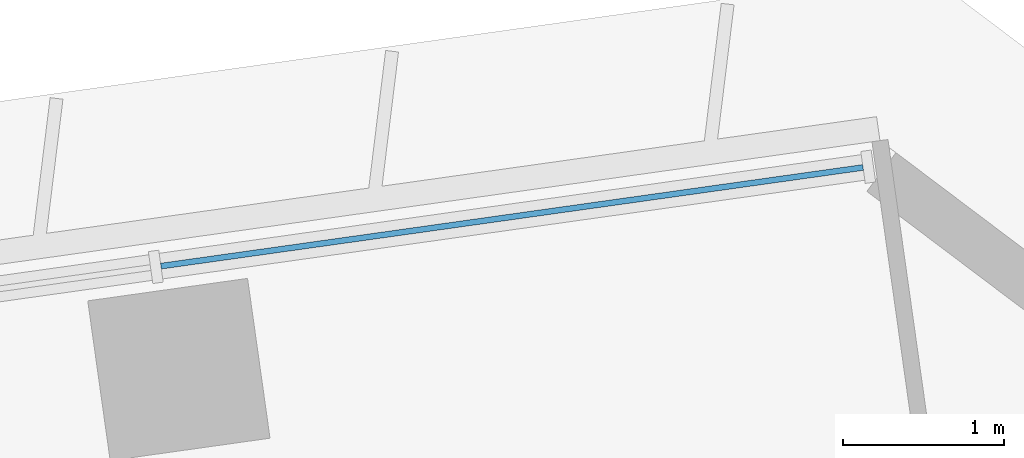
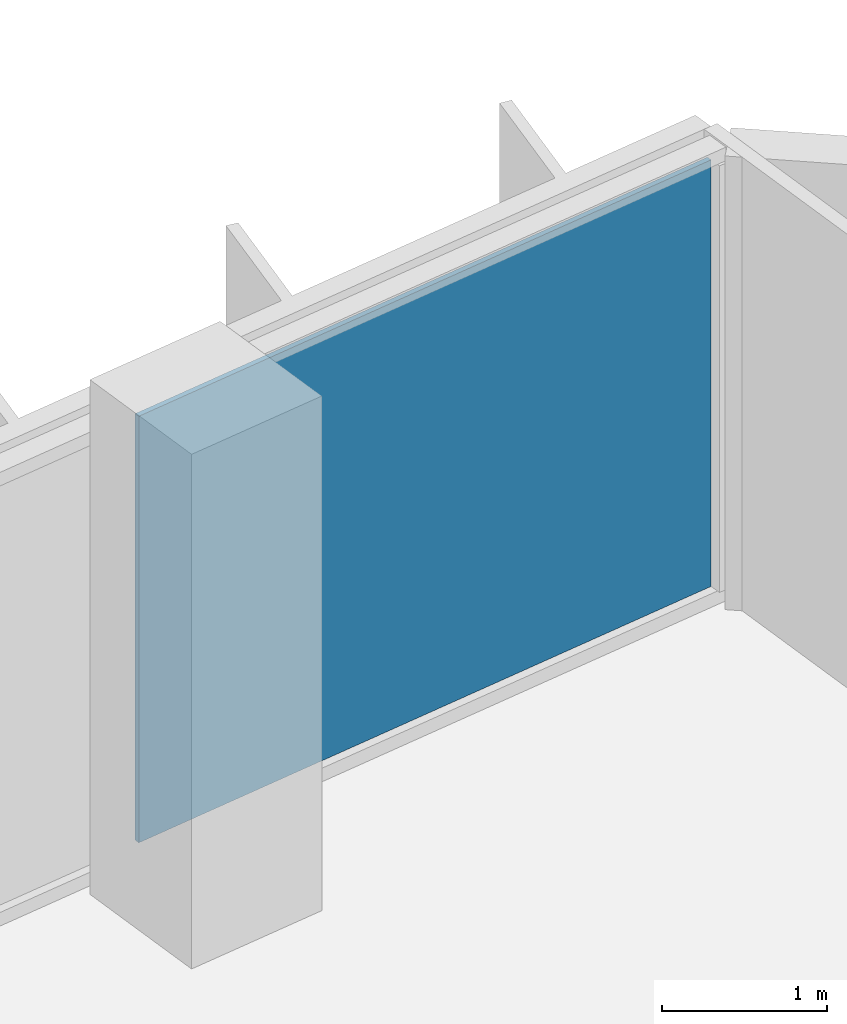
# One storey, part 13 of 25: 1 plate, 1 element without a shape of its own.
"""IFC4 building model written with IfcOpenShell, lengths in metres."""

from ifc_helpers import new_model, si_unit, direction, frame, origin, origin_2d, place, context, subcontext, project, spatial, rectangle, extrude, material, layer, layer_set, type_object, element, aggregate, save


model = new_model("IFC4")

# Units and contexts
model_context = context("Model", 3, precision=1e-05, world=origin(), true_north=direction((0.0, 1.0)))
body_context = subcontext(model_context, "Body", "Model", "MODEL_VIEW")
ifc_project = project(units=[si_unit("LENGTHUNIT", "METRE"), si_unit("AREAUNIT", "SQUARE_METRE"), si_unit("VOLUMEUNIT", "CUBIC_METRE"), si_unit("PLANEANGLEUNIT", "RADIAN"), si_unit("MASSUNIT", "GRAM", prefix="KILO")], contexts=[model_context])

# Site, building, storey
site_placement = place(None, origin())
site = spatial("IfcSite", under=ifc_project, at=site_placement, CompositionType="ELEMENT")
building_placement = place(site_placement, origin())
building = spatial("IfcBuilding", under=site, at=building_placement, Name="Mirante Cascada Hotel Towers", CompositionType="ELEMENT")
storey_placement = place(building_placement, frame((0.0, 0.0, 69.9)))
storey = spatial("IfcBuildingStorey", under=building, at=storey_placement, Name="L14", CompositionType="ELEMENT", Elevation=69.9)

# Curtain wall, plate
ifc_material_1 = material(Name="Aluminium mullion and transom frame with clear laminated glass", Category="aluminium")
curtain_wall_type = type_object("IfcCurtainWallType", Name="Ribbon curtain wall ECW1", PredefinedType="NOTDEFINED", material=ifc_material_1)
curtain_wall_placement = place(storey_placement, origin())
curtain_wall = element("IfcCurtainWall", 1, at=curtain_wall_placement, inside=storey, type_object=curtain_wall_type, Name="Front ribbon wall T2 L14", PredefinedType="NOTDEFINED")
ifc_material_2 = material(Name="Clear laminated glass", Category="glass")
ifc_layer = layer(ifc_material_2, 0.036)
ifc_layer_set = layer_set([ifc_layer], Name="ECW1 glass panel 36")
plate_type = type_object("IfcPlateType", Name="ECW1 glass panel 36", PredefinedType="CURTAIN_PANEL", material=ifc_layer_set)
plate_placement = place(storey_placement, frame((91.9184, 25.7373, 0.1), z_axis=(0.0, 0.0, 1.0), x_axis=(-0.9902681, -0.1391731, 0.0)))
plate = element("IfcPlate", 2, at=plate_placement, type_object=plate_type, Name="ECW1 panel 1", PredefinedType="CURTAIN_PANEL", context=body_context, shape_type="SweptSolid", body=[
    extrude(rectangle(XDim=4.3936, YDim=0.036, at=origin_2d()), origin(), (0.0, 0.0, 1.0), 3.15),
])
aggregate(curtain_wall, [plate])

save(model, "model.ifc")
